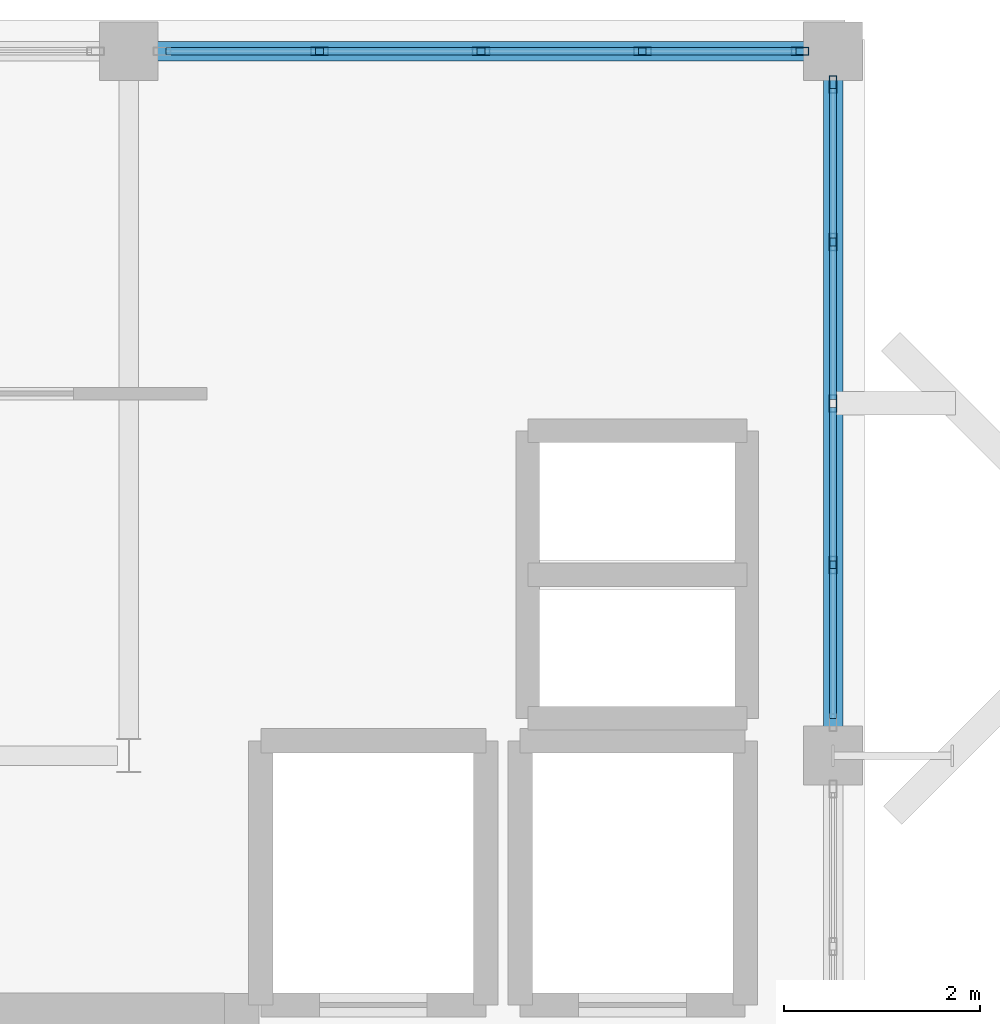
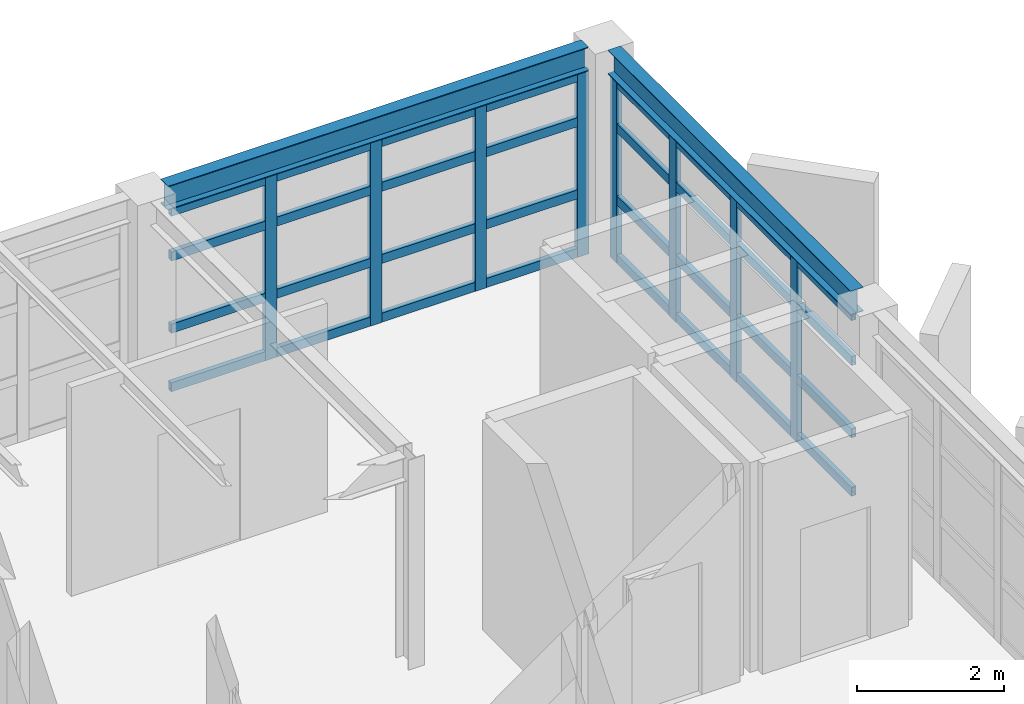
# One storey, part 6 of 13: 40 members, 2 beams, 2 elements without a shape of their own.
"""IFC4 building model written with IfcOpenShell, lengths in metres."""

from ifc_helpers import new_model, si_unit, direction, frame, origin, origin_2d, place, context, subcontext, project, spatial, hollow_rectangle, i_section, extrude, material, layer, layer_set, material_profile, profile_set, type_object, element, aggregate, save


model = new_model("IFC4")

# Units and contexts
model_context = context("Model", 3, precision=1e-05, world=origin(), true_north=direction((0.0, 1.0)))
body_context = subcontext(model_context, "Body", "Model", "MODEL_VIEW")
ifc_project = project(units=[si_unit("LENGTHUNIT", "METRE"), si_unit("AREAUNIT", "SQUARE_METRE"), si_unit("VOLUMEUNIT", "CUBIC_METRE"), si_unit("PLANEANGLEUNIT", "RADIAN"), si_unit("MASSUNIT", "GRAM", prefix="KILO")], contexts=[model_context])

# Site, building, storey
site_placement = place(None, origin())
site = spatial("IfcSite", under=ifc_project, at=site_placement, CompositionType="ELEMENT")
building_placement = place(site_placement, origin())
building = spatial("IfcBuilding", under=site, at=building_placement, Name="Kandorven Conservatory and Botanical Research Centre", CompositionType="ELEMENT")
storey_placement = place(building_placement, frame((0.0, 0.0, 63.14990234375)))
storey = spatial("IfcBuildingStorey", under=building, at=storey_placement, Name="L16", CompositionType="ELEMENT", Elevation=63.14990234375)

# Beams
ifc_material_1 = material(Name="Steel S355 (IS 2062 E350)", Category="steel")
ifc_material_profile_1 = material_profile(ifc_material_1, i_section(OverallWidth=0.199951171875, OverallDepth=0.39990234375, WebThickness=0.008544921875, FlangeThickness=0.012939453125, at=origin_2d()))
ifc_profile_set_1 = profile_set([ifc_material_profile_1], Name="Steel S355 (IS 2062 E350)")
beam_type = type_object("IfcBeamType", Name="Beam_FG-03", PredefinedType="USERDEFINED", material=ifc_profile_set_1)
for number, where, z_axis, x_axis, name in (
    (1, (20.68994140625, 27.60009765625, 3.2900390625), (1.0, 0.0, 0.0), (0.0, 1.0, 0.0), "Primary girder FG-03 TWR L16"),
    (2, (27.60009765625, 20.68994140625, 3.2900390625), (0.0, 1.0, 0.0), (-1.0, 0.0, 0.0), "Primary girder FG-03 TWR L16"),
):
    element("IfcBeam", number, at=place(storey_placement, frame(where, z_axis=z_axis, x_axis=x_axis)), inside=storey, type_object=beam_type, Name=name, ObjectType="GIRDER", PredefinedType="USERDEFINED", context=body_context, shape_type="SweptSolid", body=[
        extrude(i_section(OverallWidth=0.199951171875, OverallDepth=0.39990234375, WebThickness=0.008544921875, FlangeThickness=0.012939453125, at=origin_2d()), origin(), (0.0, 0.0, 1.0), 6.6201171875),
    ])

# Curtain wall, members
ifc_material_2 = material(Name="Bronze anodised thermally broken aluminium", Category="aluminium")
ifc_layer = layer(ifc_material_2, 0.179931640625)
ifc_layer_set = layer_set([ifc_layer], Name="Bronze anodised thermally broken aluminium")
curtain_wall_type = type_object("IfcCurtainWallType", Name="CW_Unitised", PredefinedType="USERDEFINED", material=ifc_layer_set)
curtain_wall_1_placement = place(storey_placement, origin())
curtain_wall_1 = element("IfcCurtainWall", 3, at=curtain_wall_1_placement, inside=storey, type_object=curtain_wall_type, Name="Tower laboratory curtain wall CW-TWR-N-L16-3", ObjectType="UNITISED GLAZING", PredefinedType="USERDEFINED")
ifc_material_3 = material(Name="Bronze anodised thermally broken aluminium", Category="aluminium")
ifc_material_profile_2 = material_profile(ifc_material_3, hollow_rectangle(XDim=0.080078125, YDim=0.179931640625, WallThickness=0.006103515625, at=origin_2d()))
ifc_profile_set_2 = profile_set([ifc_material_profile_2], Name="Bronze anodised thermally broken aluminium")
member_type_1 = type_object("IfcMemberType", Name="CW_Mullion", PredefinedType="MULLION", material=ifc_profile_set_2)
member_1_placement = place(storey_placement, frame((22.35009765625, 27.60009765625, 0.0), z_axis=(0.0, 0.0, 1.0), x_axis=(0.0, 1.0, 0.0)))
member_1 = element("IfcMember", 4, at=member_1_placement, type_object=member_type_1, Name="CW-01 mullion 2", PredefinedType="MULLION", context=body_context, shape_type="SweptSolid", body=[
    extrude(hollow_rectangle(XDim=0.080078125, YDim=0.179931640625, WallThickness=0.006103515625, at=origin_2d()), origin(), (0.0, 0.0, 1.0), 3.070068359375),
])
member_2_placement = place(storey_placement, frame((24.0, 27.60009765625, 0.0), z_axis=(0.0, 0.0, 1.0), x_axis=(0.0, 1.0, 0.0)))
member_2 = element("IfcMember", 5, at=member_2_placement, type_object=member_type_1, Name="CW-01 mullion 3", PredefinedType="MULLION", context=body_context, shape_type="SweptSolid", body=[
    extrude(hollow_rectangle(XDim=0.080078125, YDim=0.179931640625, WallThickness=0.006103515625, at=origin_2d()), origin(), (0.0, 0.0, 1.0), 3.070068359375),
])
member_3_placement = place(storey_placement, frame((25.64990234375, 27.60009765625, 0.0), z_axis=(0.0, 0.0, 1.0), x_axis=(0.0, 1.0, 0.0)))
member_3 = element("IfcMember", 6, at=member_3_placement, type_object=member_type_1, Name="CW-01 mullion 4", PredefinedType="MULLION", context=body_context, shape_type="SweptSolid", body=[
    extrude(hollow_rectangle(XDim=0.080078125, YDim=0.179931640625, WallThickness=0.006103515625, at=origin_2d()), origin(), (0.0, 0.0, 1.0), 3.070068359375),
])
member_4_placement = place(storey_placement, frame((27.260009765625, 27.60009765625, 0.0), z_axis=(0.0, 0.0, 1.0), x_axis=(0.0, 1.0, 0.0)))
member_4 = element("IfcMember", 7, at=member_4_placement, type_object=member_type_1, Name="CW-01 mullion 5", PredefinedType="MULLION", context=body_context, shape_type="SweptSolid", body=[
    extrude(hollow_rectangle(XDim=0.080078125, YDim=0.179931640625, WallThickness=0.006103515625, at=origin_2d()), origin(), (0.0, 0.0, 1.0), 3.070068359375),
])

curtain_wall_2_placement = place(storey_placement, origin())
curtain_wall_2 = element("IfcCurtainWall", 8, at=curtain_wall_2_placement, inside=storey, type_object=curtain_wall_type, Name="Tower laboratory curtain wall CW-TWR-E-L16-3", ObjectType="UNITISED GLAZING", PredefinedType="USERDEFINED")
member_5_placement = place(storey_placement, frame((27.60009765625, 22.35009765625, 0.0), z_axis=(0.0, 0.0, 1.0), x_axis=(-1.0, 0.0, 0.0)))
member_5 = element("IfcMember", 9, at=member_5_placement, type_object=member_type_1, Name="CW-01 mullion 2", PredefinedType="MULLION", context=body_context, shape_type="SweptSolid", body=[
    extrude(hollow_rectangle(XDim=0.080078125, YDim=0.179931640625, WallThickness=0.006103515625, at=origin_2d()), origin(), (0.0, 0.0, 1.0), 3.070068359375),
])
member_6_placement = place(storey_placement, frame((27.60009765625, 24.0, 0.0), z_axis=(0.0, 0.0, 1.0), x_axis=(-1.0, 0.0, 0.0)))
member_6 = element("IfcMember", 10, at=member_6_placement, type_object=member_type_1, Name="CW-01 mullion 3", PredefinedType="MULLION", context=body_context, shape_type="SweptSolid", body=[
    extrude(hollow_rectangle(XDim=0.080078125, YDim=0.179931640625, WallThickness=0.006103515625, at=origin_2d()), origin(), (0.0, 0.0, 1.0), 3.070068359375),
])
member_7_placement = place(storey_placement, frame((27.60009765625, 25.64990234375, 0.0), z_axis=(0.0, 0.0, 1.0), x_axis=(-1.0, 0.0, 0.0)))
member_7 = element("IfcMember", 11, at=member_7_placement, type_object=member_type_1, Name="CW-01 mullion 4", PredefinedType="MULLION", context=body_context, shape_type="SweptSolid", body=[
    extrude(hollow_rectangle(XDim=0.080078125, YDim=0.179931640625, WallThickness=0.006103515625, at=origin_2d()), origin(), (0.0, 0.0, 1.0), 3.070068359375),
])
member_8_placement = place(storey_placement, frame((27.60009765625, 27.260009765625, 0.0), z_axis=(0.0, 0.0, 1.0), x_axis=(-1.0, 0.0, 0.0)))
member_8 = element("IfcMember", 12, at=member_8_placement, type_object=member_type_1, Name="CW-01 mullion 5", PredefinedType="MULLION", context=body_context, shape_type="SweptSolid", body=[
    extrude(hollow_rectangle(XDim=0.080078125, YDim=0.179931640625, WallThickness=0.006103515625, at=origin_2d()), origin(), (0.0, 0.0, 1.0), 3.070068359375),
])

# Member
ifc_material_4 = material(Name="Bronze anodised thermally broken aluminium", Category="aluminium")
ifc_material_profile_3 = material_profile(ifc_material_4, hollow_rectangle(XDim=0.074951171875, YDim=0.14990234375, WallThickness=0.006103515625, at=origin_2d()))
ifc_profile_set_3 = profile_set([ifc_material_profile_3], Name="Bronze anodised thermally broken aluminium")
member_type_2 = type_object("IfcMemberType", Name="CW_Transom", PredefinedType="USERDEFINED", material=ifc_profile_set_3)
member_9_placement = place(storey_placement, frame((20.780029296875, 27.60009765625, 0.0751953125), z_axis=(1.0, 0.0, 0.0), x_axis=(0.0, 1.0, 0.0)))
member_9 = element("IfcMember", 13, at=member_9_placement, type_object=member_type_2, Name="CW-01 transom 1.1", ObjectType="TRANSOM", PredefinedType="USERDEFINED", context=body_context, shape_type="SweptSolid", body=[
    extrude(hollow_rectangle(XDim=0.074951171875, YDim=0.14990234375, WallThickness=0.006103515625, at=origin_2d()), origin(), (0.0, 0.0, 1.0), 1.530029296875),
])

member_10_placement = place(storey_placement, frame((20.780029296875, 27.60009765625, 1.050048828125), z_axis=(1.0, 0.0, 0.0), x_axis=(0.0, 1.0, 0.0)))
member_10 = element("IfcMember", 14, at=member_10_placement, type_object=member_type_2, Name="CW-01 transom 1.2", ObjectType="TRANSOM", PredefinedType="USERDEFINED", context=body_context, shape_type="SweptSolid", body=[
    extrude(hollow_rectangle(XDim=0.074951171875, YDim=0.14990234375, WallThickness=0.006103515625, at=origin_2d()), origin(), (0.0, 0.0, 1.0), 1.530029296875),
])

member_11_placement = place(storey_placement, frame((20.780029296875, 27.60009765625, 2.25), z_axis=(1.0, 0.0, 0.0), x_axis=(0.0, 1.0, 0.0)))
member_11 = element("IfcMember", 15, at=member_11_placement, type_object=member_type_2, Name="CW-01 transom 1.3", ObjectType="TRANSOM", PredefinedType="USERDEFINED", context=body_context, shape_type="SweptSolid", body=[
    extrude(hollow_rectangle(XDim=0.074951171875, YDim=0.14990234375, WallThickness=0.006103515625, at=origin_2d()), origin(), (0.0, 0.0, 1.0), 1.530029296875),
])

member_12_placement = place(storey_placement, frame((20.780029296875, 27.60009765625, 2.9951171875), z_axis=(1.0, 0.0, 0.0), x_axis=(0.0, 1.0, 0.0)))
member_12 = element("IfcMember", 16, at=member_12_placement, type_object=member_type_2, Name="CW-01 transom 1.4", ObjectType="TRANSOM", PredefinedType="USERDEFINED", context=body_context, shape_type="SweptSolid", body=[
    extrude(hollow_rectangle(XDim=0.074951171875, YDim=0.14990234375, WallThickness=0.006103515625, at=origin_2d()), origin(), (0.0, 0.0, 1.0), 1.530029296875),
])

member_13_placement = place(storey_placement, frame((22.389892578125, 27.60009765625, 0.0751953125), z_axis=(1.0, 0.0, 0.0), x_axis=(0.0, 1.0, 0.0)))
member_13 = element("IfcMember", 17, at=member_13_placement, type_object=member_type_2, Name="CW-01 transom 2.1", ObjectType="TRANSOM", PredefinedType="USERDEFINED", context=body_context, shape_type="SweptSolid", body=[
    extrude(hollow_rectangle(XDim=0.074951171875, YDim=0.14990234375, WallThickness=0.006103515625, at=origin_2d()), origin(), (0.0, 0.0, 1.0), 1.570068359375),
])

member_14_placement = place(storey_placement, frame((22.389892578125, 27.60009765625, 1.050048828125), z_axis=(1.0, 0.0, 0.0), x_axis=(0.0, 1.0, 0.0)))
member_14 = element("IfcMember", 18, at=member_14_placement, type_object=member_type_2, Name="CW-01 transom 2.2", ObjectType="TRANSOM", PredefinedType="USERDEFINED", context=body_context, shape_type="SweptSolid", body=[
    extrude(hollow_rectangle(XDim=0.074951171875, YDim=0.14990234375, WallThickness=0.006103515625, at=origin_2d()), origin(), (0.0, 0.0, 1.0), 1.570068359375),
])

member_15_placement = place(storey_placement, frame((22.389892578125, 27.60009765625, 2.25), z_axis=(1.0, 0.0, 0.0), x_axis=(0.0, 1.0, 0.0)))
member_15 = element("IfcMember", 19, at=member_15_placement, type_object=member_type_2, Name="CW-01 transom 2.3", ObjectType="TRANSOM", PredefinedType="USERDEFINED", context=body_context, shape_type="SweptSolid", body=[
    extrude(hollow_rectangle(XDim=0.074951171875, YDim=0.14990234375, WallThickness=0.006103515625, at=origin_2d()), origin(), (0.0, 0.0, 1.0), 1.570068359375),
])

member_16_placement = place(storey_placement, frame((22.389892578125, 27.60009765625, 2.9951171875), z_axis=(1.0, 0.0, 0.0), x_axis=(0.0, 1.0, 0.0)))
member_16 = element("IfcMember", 20, at=member_16_placement, type_object=member_type_2, Name="CW-01 transom 2.4", ObjectType="TRANSOM", PredefinedType="USERDEFINED", context=body_context, shape_type="SweptSolid", body=[
    extrude(hollow_rectangle(XDim=0.074951171875, YDim=0.14990234375, WallThickness=0.006103515625, at=origin_2d()), origin(), (0.0, 0.0, 1.0), 1.570068359375),
])

member_17_placement = place(storey_placement, frame((24.0400390625, 27.60009765625, 0.0751953125), z_axis=(1.0, 0.0, 0.0), x_axis=(0.0, 1.0, 0.0)))
member_17 = element("IfcMember", 21, at=member_17_placement, type_object=member_type_2, Name="CW-01 transom 3.1", ObjectType="TRANSOM", PredefinedType="USERDEFINED", context=body_context, shape_type="SweptSolid", body=[
    extrude(hollow_rectangle(XDim=0.074951171875, YDim=0.14990234375, WallThickness=0.006103515625, at=origin_2d()), origin(), (0.0, 0.0, 1.0), 1.570068359375),
])

member_18_placement = place(storey_placement, frame((24.0400390625, 27.60009765625, 1.050048828125), z_axis=(1.0, 0.0, 0.0), x_axis=(0.0, 1.0, 0.0)))
member_18 = element("IfcMember", 22, at=member_18_placement, type_object=member_type_2, Name="CW-01 transom 3.2", ObjectType="TRANSOM", PredefinedType="USERDEFINED", context=body_context, shape_type="SweptSolid", body=[
    extrude(hollow_rectangle(XDim=0.074951171875, YDim=0.14990234375, WallThickness=0.006103515625, at=origin_2d()), origin(), (0.0, 0.0, 1.0), 1.570068359375),
])

member_19_placement = place(storey_placement, frame((24.0400390625, 27.60009765625, 2.25), z_axis=(1.0, 0.0, 0.0), x_axis=(0.0, 1.0, 0.0)))
member_19 = element("IfcMember", 23, at=member_19_placement, type_object=member_type_2, Name="CW-01 transom 3.3", ObjectType="TRANSOM", PredefinedType="USERDEFINED", context=body_context, shape_type="SweptSolid", body=[
    extrude(hollow_rectangle(XDim=0.074951171875, YDim=0.14990234375, WallThickness=0.006103515625, at=origin_2d()), origin(), (0.0, 0.0, 1.0), 1.570068359375),
])

member_20_placement = place(storey_placement, frame((24.0400390625, 27.60009765625, 2.9951171875), z_axis=(1.0, 0.0, 0.0), x_axis=(0.0, 1.0, 0.0)))
member_20 = element("IfcMember", 24, at=member_20_placement, type_object=member_type_2, Name="CW-01 transom 3.4", ObjectType="TRANSOM", PredefinedType="USERDEFINED", context=body_context, shape_type="SweptSolid", body=[
    extrude(hollow_rectangle(XDim=0.074951171875, YDim=0.14990234375, WallThickness=0.006103515625, at=origin_2d()), origin(), (0.0, 0.0, 1.0), 1.570068359375),
])

member_21_placement = place(storey_placement, frame((25.68994140625, 27.60009765625, 0.0751953125), z_axis=(1.0, 0.0, 0.0), x_axis=(0.0, 1.0, 0.0)))
member_21 = element("IfcMember", 25, at=member_21_placement, type_object=member_type_2, Name="CW-01 transom 4.1", ObjectType="TRANSOM", PredefinedType="USERDEFINED", context=body_context, shape_type="SweptSolid", body=[
    extrude(hollow_rectangle(XDim=0.074951171875, YDim=0.14990234375, WallThickness=0.006103515625, at=origin_2d()), origin(), (0.0, 0.0, 1.0), 1.530029296875),
])

member_22_placement = place(storey_placement, frame((25.68994140625, 27.60009765625, 1.050048828125), z_axis=(1.0, 0.0, 0.0), x_axis=(0.0, 1.0, 0.0)))
member_22 = element("IfcMember", 26, at=member_22_placement, type_object=member_type_2, Name="CW-01 transom 4.2", ObjectType="TRANSOM", PredefinedType="USERDEFINED", context=body_context, shape_type="SweptSolid", body=[
    extrude(hollow_rectangle(XDim=0.074951171875, YDim=0.14990234375, WallThickness=0.006103515625, at=origin_2d()), origin(), (0.0, 0.0, 1.0), 1.530029296875),
])

member_23_placement = place(storey_placement, frame((25.68994140625, 27.60009765625, 2.25), z_axis=(1.0, 0.0, 0.0), x_axis=(0.0, 1.0, 0.0)))
member_23 = element("IfcMember", 27, at=member_23_placement, type_object=member_type_2, Name="CW-01 transom 4.3", ObjectType="TRANSOM", PredefinedType="USERDEFINED", context=body_context, shape_type="SweptSolid", body=[
    extrude(hollow_rectangle(XDim=0.074951171875, YDim=0.14990234375, WallThickness=0.006103515625, at=origin_2d()), origin(), (0.0, 0.0, 1.0), 1.530029296875),
])

member_24_placement = place(storey_placement, frame((25.68994140625, 27.60009765625, 2.9951171875), z_axis=(1.0, 0.0, 0.0), x_axis=(0.0, 1.0, 0.0)))
member_24 = element("IfcMember", 28, at=member_24_placement, type_object=member_type_2, Name="CW-01 transom 4.4", ObjectType="TRANSOM", PredefinedType="USERDEFINED", context=body_context, shape_type="SweptSolid", body=[
    extrude(hollow_rectangle(XDim=0.074951171875, YDim=0.14990234375, WallThickness=0.006103515625, at=origin_2d()), origin(), (0.0, 0.0, 1.0), 1.530029296875),
])

aggregate(curtain_wall_1, [member_1, member_2, member_3, member_4, member_9, member_10, member_11, member_12, member_13, member_14, member_15, member_16, member_17, member_18, member_19, member_20, member_21, member_22, member_23, member_24])

member_25_placement = place(storey_placement, frame((27.60009765625, 20.780029296875, 0.0751953125), z_axis=(0.0, 1.0, 0.0), x_axis=(-1.0, 0.0, 0.0)))
member_25 = element("IfcMember", 29, at=member_25_placement, type_object=member_type_2, Name="CW-01 transom 1.1", ObjectType="TRANSOM", PredefinedType="USERDEFINED", context=body_context, shape_type="SweptSolid", body=[
    extrude(hollow_rectangle(XDim=0.074951171875, YDim=0.14990234375, WallThickness=0.006103515625, at=origin_2d()), origin(), (0.0, 0.0, 1.0), 1.530029296875),
])

member_26_placement = place(storey_placement, frame((27.60009765625, 20.780029296875, 1.050048828125), z_axis=(0.0, 1.0, 0.0), x_axis=(-1.0, 0.0, 0.0)))
member_26 = element("IfcMember", 30, at=member_26_placement, type_object=member_type_2, Name="CW-01 transom 1.2", ObjectType="TRANSOM", PredefinedType="USERDEFINED", context=body_context, shape_type="SweptSolid", body=[
    extrude(hollow_rectangle(XDim=0.074951171875, YDim=0.14990234375, WallThickness=0.006103515625, at=origin_2d()), origin(), (0.0, 0.0, 1.0), 1.530029296875),
])

member_27_placement = place(storey_placement, frame((27.60009765625, 20.780029296875, 2.25), z_axis=(0.0, 1.0, 0.0), x_axis=(-1.0, 0.0, 0.0)))
member_27 = element("IfcMember", 31, at=member_27_placement, type_object=member_type_2, Name="CW-01 transom 1.3", ObjectType="TRANSOM", PredefinedType="USERDEFINED", context=body_context, shape_type="SweptSolid", body=[
    extrude(hollow_rectangle(XDim=0.074951171875, YDim=0.14990234375, WallThickness=0.006103515625, at=origin_2d()), origin(), (0.0, 0.0, 1.0), 1.530029296875),
])

member_28_placement = place(storey_placement, frame((27.60009765625, 20.780029296875, 2.9951171875), z_axis=(0.0, 1.0, 0.0), x_axis=(-1.0, 0.0, 0.0)))
member_28 = element("IfcMember", 32, at=member_28_placement, type_object=member_type_2, Name="CW-01 transom 1.4", ObjectType="TRANSOM", PredefinedType="USERDEFINED", context=body_context, shape_type="SweptSolid", body=[
    extrude(hollow_rectangle(XDim=0.074951171875, YDim=0.14990234375, WallThickness=0.006103515625, at=origin_2d()), origin(), (0.0, 0.0, 1.0), 1.530029296875),
])

member_29_placement = place(storey_placement, frame((27.60009765625, 22.389892578125, 0.0751953125), z_axis=(0.0, 1.0, 0.0), x_axis=(-1.0, 0.0, 0.0)))
member_29 = element("IfcMember", 33, at=member_29_placement, type_object=member_type_2, Name="CW-01 transom 2.1", ObjectType="TRANSOM", PredefinedType="USERDEFINED", context=body_context, shape_type="SweptSolid", body=[
    extrude(hollow_rectangle(XDim=0.074951171875, YDim=0.14990234375, WallThickness=0.006103515625, at=origin_2d()), origin(), (0.0, 0.0, 1.0), 1.570068359375),
])

member_30_placement = place(storey_placement, frame((27.60009765625, 22.389892578125, 1.050048828125), z_axis=(0.0, 1.0, 0.0), x_axis=(-1.0, 0.0, 0.0)))
member_30 = element("IfcMember", 34, at=member_30_placement, type_object=member_type_2, Name="CW-01 transom 2.2", ObjectType="TRANSOM", PredefinedType="USERDEFINED", context=body_context, shape_type="SweptSolid", body=[
    extrude(hollow_rectangle(XDim=0.074951171875, YDim=0.14990234375, WallThickness=0.006103515625, at=origin_2d()), origin(), (0.0, 0.0, 1.0), 1.570068359375),
])

member_31_placement = place(storey_placement, frame((27.60009765625, 22.389892578125, 2.25), z_axis=(0.0, 1.0, 0.0), x_axis=(-1.0, 0.0, 0.0)))
member_31 = element("IfcMember", 35, at=member_31_placement, type_object=member_type_2, Name="CW-01 transom 2.3", ObjectType="TRANSOM", PredefinedType="USERDEFINED", context=body_context, shape_type="SweptSolid", body=[
    extrude(hollow_rectangle(XDim=0.074951171875, YDim=0.14990234375, WallThickness=0.006103515625, at=origin_2d()), origin(), (0.0, 0.0, 1.0), 1.570068359375),
])

member_32_placement = place(storey_placement, frame((27.60009765625, 22.389892578125, 2.9951171875), z_axis=(0.0, 1.0, 0.0), x_axis=(-1.0, 0.0, 0.0)))
member_32 = element("IfcMember", 36, at=member_32_placement, type_object=member_type_2, Name="CW-01 transom 2.4", ObjectType="TRANSOM", PredefinedType="USERDEFINED", context=body_context, shape_type="SweptSolid", body=[
    extrude(hollow_rectangle(XDim=0.074951171875, YDim=0.14990234375, WallThickness=0.006103515625, at=origin_2d()), origin(), (0.0, 0.0, 1.0), 1.570068359375),
])

member_33_placement = place(storey_placement, frame((27.60009765625, 24.0400390625, 0.0751953125), z_axis=(0.0, 1.0, 0.0), x_axis=(-1.0, 0.0, 0.0)))
member_33 = element("IfcMember", 37, at=member_33_placement, type_object=member_type_2, Name="CW-01 transom 3.1", ObjectType="TRANSOM", PredefinedType="USERDEFINED", context=body_context, shape_type="SweptSolid", body=[
    extrude(hollow_rectangle(XDim=0.074951171875, YDim=0.14990234375, WallThickness=0.006103515625, at=origin_2d()), origin(), (0.0, 0.0, 1.0), 1.570068359375),
])

member_34_placement = place(storey_placement, frame((27.60009765625, 24.0400390625, 1.050048828125), z_axis=(0.0, 1.0, 0.0), x_axis=(-1.0, 0.0, 0.0)))
member_34 = element("IfcMember", 38, at=member_34_placement, type_object=member_type_2, Name="CW-01 transom 3.2", ObjectType="TRANSOM", PredefinedType="USERDEFINED", context=body_context, shape_type="SweptSolid", body=[
    extrude(hollow_rectangle(XDim=0.074951171875, YDim=0.14990234375, WallThickness=0.006103515625, at=origin_2d()), origin(), (0.0, 0.0, 1.0), 1.570068359375),
])

member_35_placement = place(storey_placement, frame((27.60009765625, 24.0400390625, 2.25), z_axis=(0.0, 1.0, 0.0), x_axis=(-1.0, 0.0, 0.0)))
member_35 = element("IfcMember", 39, at=member_35_placement, type_object=member_type_2, Name="CW-01 transom 3.3", ObjectType="TRANSOM", PredefinedType="USERDEFINED", context=body_context, shape_type="SweptSolid", body=[
    extrude(hollow_rectangle(XDim=0.074951171875, YDim=0.14990234375, WallThickness=0.006103515625, at=origin_2d()), origin(), (0.0, 0.0, 1.0), 1.570068359375),
])

member_36_placement = place(storey_placement, frame((27.60009765625, 24.0400390625, 2.9951171875), z_axis=(0.0, 1.0, 0.0), x_axis=(-1.0, 0.0, 0.0)))
member_36 = element("IfcMember", 40, at=member_36_placement, type_object=member_type_2, Name="CW-01 transom 3.4", ObjectType="TRANSOM", PredefinedType="USERDEFINED", context=body_context, shape_type="SweptSolid", body=[
    extrude(hollow_rectangle(XDim=0.074951171875, YDim=0.14990234375, WallThickness=0.006103515625, at=origin_2d()), origin(), (0.0, 0.0, 1.0), 1.570068359375),
])

member_37_placement = place(storey_placement, frame((27.60009765625, 25.68994140625, 0.0751953125), z_axis=(0.0, 1.0, 0.0), x_axis=(-1.0, 0.0, 0.0)))
member_37 = element("IfcMember", 41, at=member_37_placement, type_object=member_type_2, Name="CW-01 transom 4.1", ObjectType="TRANSOM", PredefinedType="USERDEFINED", context=body_context, shape_type="SweptSolid", body=[
    extrude(hollow_rectangle(XDim=0.074951171875, YDim=0.14990234375, WallThickness=0.006103515625, at=origin_2d()), origin(), (0.0, 0.0, 1.0), 1.530029296875),
])

member_38_placement = place(storey_placement, frame((27.60009765625, 25.68994140625, 1.050048828125), z_axis=(0.0, 1.0, 0.0), x_axis=(-1.0, 0.0, 0.0)))
member_38 = element("IfcMember", 42, at=member_38_placement, type_object=member_type_2, Name="CW-01 transom 4.2", ObjectType="TRANSOM", PredefinedType="USERDEFINED", context=body_context, shape_type="SweptSolid", body=[
    extrude(hollow_rectangle(XDim=0.074951171875, YDim=0.14990234375, WallThickness=0.006103515625, at=origin_2d()), origin(), (0.0, 0.0, 1.0), 1.530029296875),
])

member_39_placement = place(storey_placement, frame((27.60009765625, 25.68994140625, 2.25), z_axis=(0.0, 1.0, 0.0), x_axis=(-1.0, 0.0, 0.0)))
member_39 = element("IfcMember", 43, at=member_39_placement, type_object=member_type_2, Name="CW-01 transom 4.3", ObjectType="TRANSOM", PredefinedType="USERDEFINED", context=body_context, shape_type="SweptSolid", body=[
    extrude(hollow_rectangle(XDim=0.074951171875, YDim=0.14990234375, WallThickness=0.006103515625, at=origin_2d()), origin(), (0.0, 0.0, 1.0), 1.530029296875),
])

member_40_placement = place(storey_placement, frame((27.60009765625, 25.68994140625, 2.9951171875), z_axis=(0.0, 1.0, 0.0), x_axis=(-1.0, 0.0, 0.0)))
member_40 = element("IfcMember", 44, at=member_40_placement, type_object=member_type_2, Name="CW-01 transom 4.4", ObjectType="TRANSOM", PredefinedType="USERDEFINED", context=body_context, shape_type="SweptSolid", body=[
    extrude(hollow_rectangle(XDim=0.074951171875, YDim=0.14990234375, WallThickness=0.006103515625, at=origin_2d()), origin(), (0.0, 0.0, 1.0), 1.530029296875),
])

aggregate(curtain_wall_2, [member_5, member_6, member_7, member_8, member_25, member_26, member_27, member_28, member_29, member_30, member_31, member_32, member_33, member_34, member_35, member_36, member_37, member_38, member_39, member_40])

save(model, "model.ifc")
